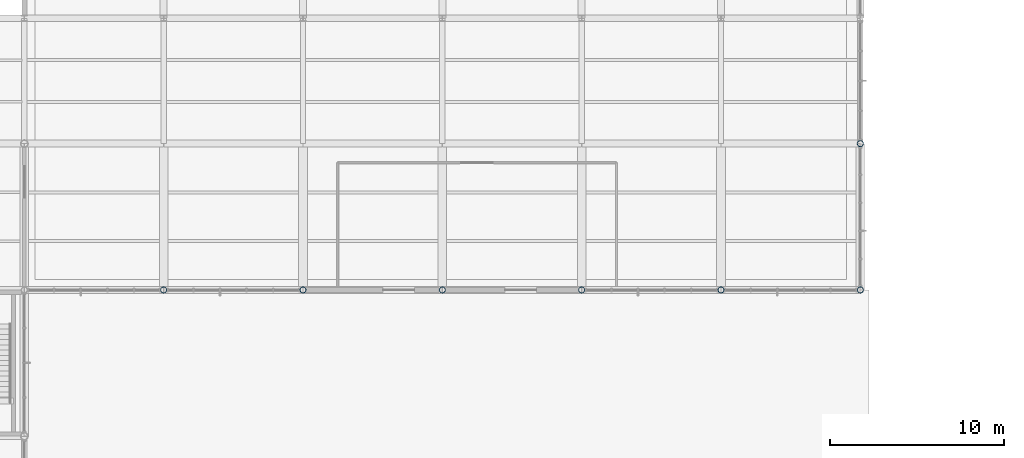
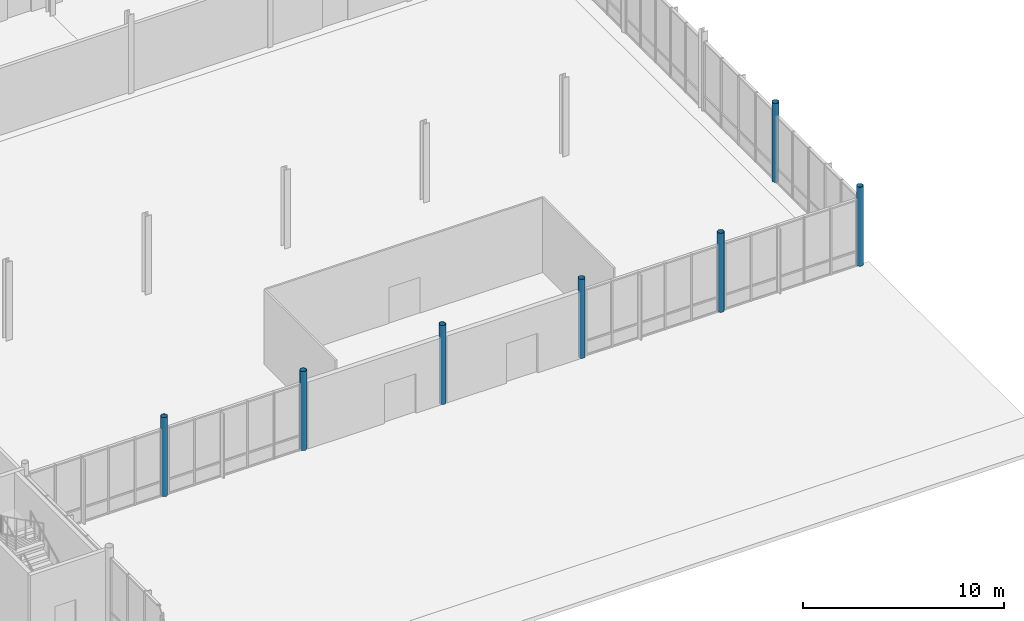
# One storey, part 5 of 82: 7 columns.
"""IFC4 building model written with IfcOpenShell, lengths in metres."""

from ifc_helpers import new_model, si_unit, direction, frame, origin, origin_2d, place, context, subcontext, project, spatial, hollow_circle, extrude, material, material_profile, profile_set, type_object, element, save


model = new_model("IFC4")

# Units and contexts
model_context = context("Model", 3, precision=1e-05, world=origin(), true_north=direction((0.0, 1.0)))
body_context = subcontext(model_context, "Body", "Model", "MODEL_VIEW")
ifc_project = project(units=[si_unit("LENGTHUNIT", "METRE"), si_unit("AREAUNIT", "SQUARE_METRE"), si_unit("VOLUMEUNIT", "CUBIC_METRE"), si_unit("PLANEANGLEUNIT", "RADIAN"), si_unit("MASSUNIT", "GRAM", prefix="KILO")], contexts=[model_context])

# Site, building, storey
site_placement = place(None, origin())
site = spatial("IfcSite", under=ifc_project, at=site_placement, CompositionType="ELEMENT")
building_placement = place(site_placement, origin())
building = spatial("IfcBuilding", under=site, at=building_placement, Name="Yukiwa Park Conservatory and Herbarium", CompositionType="ELEMENT")
storey_placement = place(building_placement, origin())
storey = spatial("IfcBuildingStorey", under=building, at=storey_placement, Name="L00", CompositionType="ELEMENT", Elevation=0.0)

# Columns
ifc_material = material(Name="Steel Q355D", Category="steel")
ifc_material_profile = material_profile(ifc_material, hollow_circle(Radius=0.177734375, WallThickness=0.012451171875, at=origin_2d()), Name="CHS 355.6x12.5")
ifc_profile_set = profile_set([ifc_material_profile], Name="Steel Q355D")
column_type = type_object("IfcColumnType", Name="COL-CN-CHS356", PredefinedType="COLUMN", material=ifc_profile_set)
for number, where, z_axis, x_axis, name in (
    (1, (68.0, 15.60009765625, 0.0), (0.0, 0.0, 1.0), (1.0, 0.0, 0.0), "L00 column V2-X680-Y156"),
    (2, (76.0, 15.60009765625, 0.0), (0.0, 0.0, 1.0), (1.0, 0.0, 0.0), "L00 column V2-X760-Y156"),
    (3, (84.0, 15.60009765625, 0.0), (0.0, 0.0, 1.0), (1.0, 0.0, 0.0), "L00 column V2-X840-Y156"),
    (4, (92.0, 15.60009765625, 0.0), (0.0, 0.0, 1.0), (1.0, 0.0, 0.0), "L00 column V2-X920-Y156"),
    (5, (100.0, 15.60009765625, 0.0), (0.0, 0.0, 1.0), (1.0, 0.0, 0.0), "L00 column V2-X1000-Y156"),
    (6, (108.0, 15.60009765625, 0.0), (0.0, 0.0, 1.0), (1.0, 0.0, 0.0), "L00 column V2-X1080-Y156"),
    (7, (108.0, 24.0, 0.0), (0.0, 0.0, 1.0), (1.0, 0.0, 0.0), "L00 column V2-X1080-Y240"),
):
    element("IfcColumn", number, at=place(storey_placement, frame(where, z_axis=z_axis, x_axis=x_axis)), inside=storey, type_object=column_type, Name=name, PredefinedType="COLUMN", context=body_context, shape_type="SweptSolid", body=[
        extrude(hollow_circle(Radius=0.177734375, WallThickness=0.012451171875, at=origin_2d()), origin(), (0.0, 0.0, 1.0), 4.800048828125),
    ])

save(model, "model.ifc")
